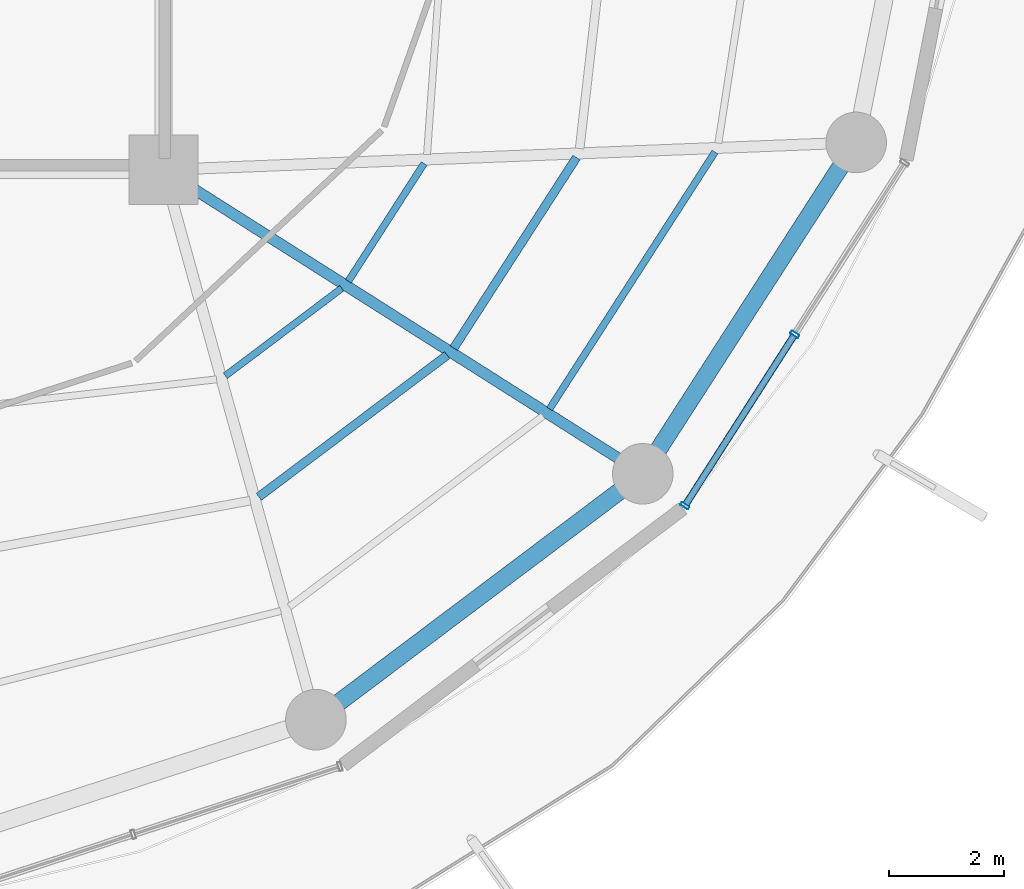
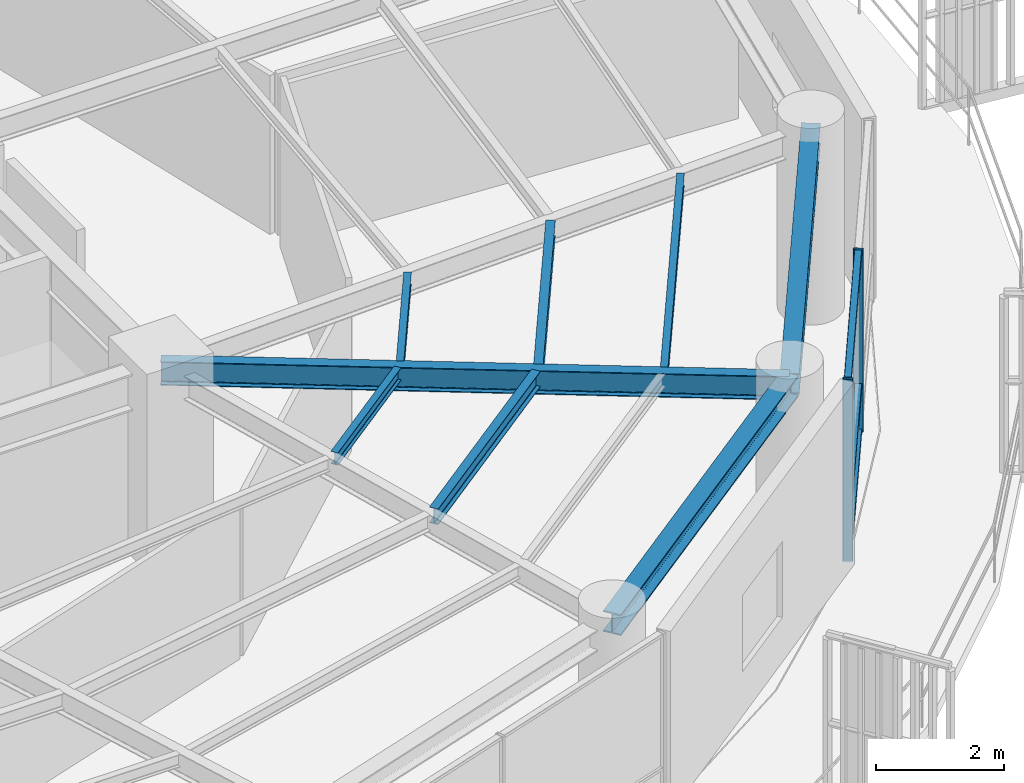
# One storey, part 11 of 31: 8 beams, 5 members, 1 element without a shape of its own.
"""IFC4 building model written with IfcOpenShell, lengths in metres."""

from ifc_helpers import new_model, si_unit, direction, frame, origin, origin_2d, place, context, subcontext, project, spatial, hollow_rectangle, i_section, extrude, material, layer, layer_set, material_profile, profile_set, type_object, element, aggregate, save


model = new_model("IFC4")

# Units and contexts
model_context = context("Model", 3, precision=1e-05, world=origin(), true_north=direction((0.0, 1.0)))
body_context = subcontext(model_context, "Body", "Model", "MODEL_VIEW")
ifc_project = project(units=[si_unit("LENGTHUNIT", "METRE"), si_unit("AREAUNIT", "SQUARE_METRE"), si_unit("VOLUMEUNIT", "CUBIC_METRE"), si_unit("PLANEANGLEUNIT", "RADIAN"), si_unit("MASSUNIT", "GRAM", prefix="KILO")], contexts=[model_context])

# Site, building, storey
site_placement = place(None, origin())
site = spatial("IfcSite", under=ifc_project, at=site_placement, CompositionType="ELEMENT")
building_placement = place(site_placement, origin())
building = spatial("IfcBuilding", under=site, at=building_placement, Name="Kelanora Arch Commons", CompositionType="ELEMENT")
storey_placement = place(building_placement, frame((0.0, 0.0, 193.199951171875)))
storey = spatial("IfcBuildingStorey", under=building, at=storey_placement, Name="L49", CompositionType="ELEMENT", Elevation=193.199951171875)

# Beams
ifc_material_1 = material(Name="Steel S355", Category="steel")
ifc_material_profile_1 = material_profile(ifc_material_1, i_section(OverallWidth=0.14990234375, OverallDepth=0.300048828125, WebThickness=0.007080078125, FlangeThickness=0.0107421875, FilletRadius=0.014892578125, at=origin_2d()), Name="IPE300")
ifc_profile_set_1 = profile_set([ifc_material_profile_1], Name="Steel S355")
beam_type_1 = type_object("IfcBeamType", Name="BM-JST-01", PredefinedType="JOIST", material=ifc_profile_set_1)
beam_1_placement = place(storey_placement, frame((83.65185546875, 45.3369140625, 3.340087890625), z_axis=(0.799101708656, 0.601195857624, 0.0), x_axis=(-0.601195857624, 0.799101708656, 0.0)))
element("IfcBeam", 1, at=beam_1_placement, inside=storey, type_object=beam_type_1, Name="Secondary Chord Joist BJB-30 L49", PredefinedType="JOIST", context=body_context, shape_type="SweptSolid", body=[
    extrude(i_section(OverallWidth=0.14990234375, OverallDepth=0.300048828125, WebThickness=0.007080078125, FlangeThickness=0.0107421875, FilletRadius=0.014892578125, at=origin_2d()), origin(), (0.0, 0.0, 1.0), 4.080810546875),
])
beam_2_placement = place(storey_placement, frame((87.02685546875, 47.912841796875, 3.340087890625), z_axis=(0.541411265892, 0.840757896879, 0.0), x_axis=(-0.840757896879, 0.541411265892, 0.0)))
element("IfcBeam", 2, at=beam_2_placement, inside=storey, type_object=beam_type_1, Name="Secondary Chord Joist BJB-32 L49", PredefinedType="JOIST", context=body_context, shape_type="SweptSolid", body=[
    extrude(i_section(OverallWidth=0.14990234375, OverallDepth=0.300048828125, WebThickness=0.007080078125, FlangeThickness=0.0107421875, FilletRadius=0.014892578125, at=origin_2d()), origin(), (0.0, 0.0, 1.0), 3.92529296875),
])
ifc_material_profile_2 = material_profile(ifc_material_1, i_section(OverallWidth=0.1201171875, OverallDepth=0.239990234375, WebThickness=0.006103515625, FlangeThickness=0.009765625, FilletRadius=0.014892578125, at=origin_2d()), Name="IPE240")
ifc_profile_set_2 = profile_set([ifc_material_profile_2], Name="Steel S355")
beam_type_2 = type_object("IfcBeamType", Name="BM-JST-02", PredefinedType="JOIST", material=ifc_profile_set_2)
beam_3_placement = place(storey_placement, frame((83.071044921875, 47.43212890625, 3.3701171875), z_axis=(0.79911638933, 0.601176343766, 0.0), x_axis=(-0.601176343766, 0.79911638933, 0.0)))
element("IfcBeam", 3, at=beam_3_placement, inside=storey, type_object=beam_type_2, Name="Secondary Chord Joist BJA-30 L49", PredefinedType="JOIST", context=body_context, shape_type="SweptSolid", body=[
    extrude(i_section(OverallWidth=0.1201171875, OverallDepth=0.239990234375, WebThickness=0.006103515625, FlangeThickness=0.009765625, FilletRadius=0.014892578125, at=origin_2d()), origin(), (0.0, 0.0, 1.0), 2.522216796875),
])
beam_4_placement = place(storey_placement, frame((85.20068359375, 49.071044921875, 3.3701171875), z_axis=(0.541332763503, 0.840808443796, 0.0), x_axis=(-0.840808443796, 0.541332763503, 0.0)))
element("IfcBeam", 4, at=beam_4_placement, inside=storey, type_object=beam_type_2, Name="Secondary Chord Joist BJA-32 L49", PredefinedType="JOIST", context=body_context, shape_type="SweptSolid", body=[
    extrude(i_section(OverallWidth=0.1201171875, OverallDepth=0.239990234375, WebThickness=0.006103515625, FlangeThickness=0.009765625, FilletRadius=0.014892578125, at=origin_2d()), origin(), (0.0, 0.0, 1.0), 2.423583984375),
])
beam_5_placement = place(storey_placement, frame((88.68701171875, 46.85986328125, 3.3701171875), z_axis=(0.541382492679, 0.840776424872, 0.0), x_axis=(-0.840776424872, 0.541382492679, 0.0)))
element("IfcBeam", 5, at=beam_5_placement, inside=storey, type_object=beam_type_2, Name="Secondary Chord Joist BJC-32 L49", PredefinedType="JOIST", context=body_context, shape_type="SweptSolid", body=[
    extrude(i_section(OverallWidth=0.1201171875, OverallDepth=0.239990234375, WebThickness=0.006103515625, FlangeThickness=0.009765625, FilletRadius=0.014892578125, at=origin_2d()), origin(), (0.0, 0.0, 1.0), 5.29052734375),
])
ifc_material_profile_3 = material_profile(ifc_material_1, i_section(OverallWidth=0.18994140625, OverallDepth=0.449951171875, WebThickness=0.009521484375, FlangeThickness=0.0146484375, FilletRadius=0.02099609375, at=origin_2d()), Name="IPE450")
ifc_profile_set_3 = profile_set([ifc_material_profile_3], Name="Steel S355")
beam_type_3 = type_object("IfcBeamType", Name="BM-RAD-Z4", PredefinedType="BEAM", material=ifc_profile_set_3)
beam_6_placement = place(storey_placement, frame((82.0, 51.0, 3.26513671875), z_axis=(0.844507208607, -0.535544185489, 0.0), x_axis=(0.535544185489, 0.844507208607, 0.0)))
element("IfcBeam", 6, at=beam_6_placement, inside=storey, type_object=beam_type_3, Name="Radial Floor Girder BR-32 L49", PredefinedType="BEAM", context=body_context, shape_type="SweptSolid", body=[
    extrude(i_section(OverallWidth=0.18994140625, OverallDepth=0.449951171875, WebThickness=0.009521484375, FlangeThickness=0.0146484375, FilletRadius=0.02099609375, at=origin_2d()), origin(), (0.0, 0.0, 1.0), 9.830078125),
])
ifc_material_profile_4 = material_profile(ifc_material_1, i_section(OverallWidth=0.300048828125, OverallDepth=0.39990234375, WebThickness=0.013427734375, FlangeThickness=0.02392578125, FilletRadius=0.027099609375, at=origin_2d()), Name="HEB400")
ifc_profile_set_4 = profile_set([ifc_material_profile_4], Name="Steel S355")
beam_type_4 = type_object("IfcBeamType", Name="BM-SPN-Z4", PredefinedType="SPANDREL", material=ifc_profile_set_4)
beam_7_placement = place(storey_placement, frame((84.639892578125, 41.476318359375, 3.2900390625), z_axis=(0.799114211715, 0.60117923836, 0.0), x_axis=(-0.60117923836, 0.799114211715, 0.0)))
element("IfcBeam", 7, at=beam_7_placement, inside=storey, type_object=beam_type_4, Name="Perimeter Spandrel Beam BS-30 L49", PredefinedType="SPANDREL", context=body_context, shape_type="SweptSolid", body=[
    extrude(i_section(OverallWidth=0.300048828125, OverallDepth=0.39990234375, WebThickness=0.013427734375, FlangeThickness=0.02392578125, FilletRadius=0.027099609375, at=origin_2d()), origin(), (0.0, 0.0, 1.0), 7.0849609375),
])
beam_8_placement = place(storey_placement, frame((90.301513671875, 45.735595703125, 3.2900390625), z_axis=(0.541364878868, 0.840787766281, 0.0), x_axis=(-0.840787766281, 0.541364878868, 0.0)))
element("IfcBeam", 8, at=beam_8_placement, inside=storey, type_object=beam_type_4, Name="Perimeter Spandrel Beam BS-32 L49", PredefinedType="SPANDREL", context=body_context, shape_type="SweptSolid", body=[
    extrude(i_section(OverallWidth=0.300048828125, OverallDepth=0.39990234375, WebThickness=0.013427734375, FlangeThickness=0.02392578125, FilletRadius=0.027099609375, at=origin_2d()), origin(), (0.0, 0.0, 1.0), 6.825439453125),
])

# Curtain wall, members
ifc_material_2 = material(Name="Terracotta ceramic-fritted low-E glass and aluminium", Category="masonry")
ifc_layer = layer(ifc_material_2, 0.175048828125)
ifc_layer_set = layer_set([ifc_layer], Name="Terracotta ceramic-fritted low-E glass and aluminium")
curtain_wall_type = type_object("IfcCurtainWallType", Name="CW-SYS-02", PredefinedType="NOTDEFINED", material=ifc_layer_set)
curtain_wall_placement = place(storey_placement, origin())
curtain_wall = element("IfcCurtainWall", 9, at=curtain_wall_placement, inside=storey, type_object=curtain_wall_type, Name="Unitised Curtain Wall L49-B16", PredefinedType="NOTDEFINED")
ifc_material_3 = material(Name="Powder-coated aluminium terracotta", Category="masonry")
ifc_material_profile_5 = material_profile(ifc_material_3, hollow_rectangle(XDim=0.159912109375, YDim=0.06005859375, WallThickness=0.0048828125, InnerFilletRadius=0.0048828125, OuterFilletRadius=0.010009765625, at=origin_2d()), Name="CWM160x60")
ifc_profile_set_5 = profile_set([ifc_material_profile_5], Name="Powder-coated aluminium terracotta")
member_type_1 = type_object("IfcMemberType", Name="CWM-STD", PredefinedType="MULLION", material=ifc_profile_set_5)
member_1_placement = place(storey_placement, frame((91.030517578125, 45.18212890625, 0.0), z_axis=(0.0, 0.0, 1.0), x_axis=(-0.84194757539, 0.539559338994, 0.0)))
member_1 = element("IfcMember", 10, at=member_1_placement, type_object=member_type_1, Name="CW-02 mullion 1", PredefinedType="MULLION", context=body_context, shape_type="SweptSolid", body=[
    extrude(hollow_rectangle(XDim=0.159912109375, YDim=0.06005859375, WallThickness=0.0048828125, InnerFilletRadius=0.0048828125, OuterFilletRadius=0.010009765625, at=origin_2d()), origin(), (0.0, 0.0, 1.0), 3.47509765625),
])
member_2_placement = place(storey_placement, frame((92.93359375, 48.15185546875, 0.0), z_axis=(0.0, 0.0, 1.0), x_axis=(-0.84194757539, 0.539559338994, 0.0)))
member_2 = element("IfcMember", 11, at=member_2_placement, type_object=member_type_1, Name="CW-02 mullion 2", PredefinedType="MULLION", context=body_context, shape_type="SweptSolid", body=[
    extrude(hollow_rectangle(XDim=0.159912109375, YDim=0.06005859375, WallThickness=0.0048828125, InnerFilletRadius=0.0048828125, OuterFilletRadius=0.010009765625, at=origin_2d()), origin(), (0.0, 0.0, 1.0), 3.47509765625),
])
ifc_material_profile_6 = material_profile(ifc_material_3, hollow_rectangle(XDim=0.1201171875, YDim=0.06005859375, WallThickness=0.0048828125, InnerFilletRadius=0.0048828125, OuterFilletRadius=0.010009765625, at=origin_2d()), Name="CWT120x60")
ifc_profile_set_6 = profile_set([ifc_material_profile_6], Name="Powder-coated aluminium terracotta")
member_type_2 = type_object("IfcMemberType", Name="CWT-STD", PredefinedType="USERDEFINED", material=ifc_profile_set_6)
member_3_placement = place(storey_placement, frame((91.046630859375, 45.207275390625, 0.030029296875), z_axis=(0.53954710894, 0.841955412854, 0.0), x_axis=(-0.841955412854, 0.53954710894, 0.0)))
member_3 = element("IfcMember", 12, at=member_3_placement, type_object=member_type_2, Name="CW-02 transom 1.1", ObjectType="TRANSOM", PredefinedType="USERDEFINED", context=body_context, shape_type="SweptSolid", body=[
    extrude(hollow_rectangle(XDim=0.1201171875, YDim=0.06005859375, WallThickness=0.0048828125, InnerFilletRadius=0.0048828125, OuterFilletRadius=0.010009765625, at=origin_2d()), origin(), (0.0, 0.0, 1.0), 3.467529296875),
])
member_4_placement = place(storey_placement, frame((91.046630859375, 45.207275390625, 0.900146484375), z_axis=(0.53954710894, 0.841955412854, 0.0), x_axis=(-0.841955412854, 0.53954710894, 0.0)))
member_4 = element("IfcMember", 13, at=member_4_placement, type_object=member_type_2, Name="CW-02 transom 1.2", ObjectType="TRANSOM", PredefinedType="USERDEFINED", context=body_context, shape_type="SweptSolid", body=[
    extrude(hollow_rectangle(XDim=0.1201171875, YDim=0.06005859375, WallThickness=0.0048828125, InnerFilletRadius=0.0048828125, OuterFilletRadius=0.010009765625, at=origin_2d()), origin(), (0.0, 0.0, 1.0), 3.467529296875),
])
member_5_placement = place(storey_placement, frame((91.046630859375, 45.207275390625, 3.445068359375), z_axis=(0.53954710894, 0.841955412854, 0.0), x_axis=(-0.841955412854, 0.53954710894, 0.0)))
member_5 = element("IfcMember", 14, at=member_5_placement, type_object=member_type_2, Name="CW-02 transom 1.3", ObjectType="TRANSOM", PredefinedType="USERDEFINED", context=body_context, shape_type="SweptSolid", body=[
    extrude(hollow_rectangle(XDim=0.1201171875, YDim=0.06005859375, WallThickness=0.0048828125, InnerFilletRadius=0.0048828125, OuterFilletRadius=0.010009765625, at=origin_2d()), origin(), (0.0, 0.0, 1.0), 3.467529296875),
])
aggregate(curtain_wall, [member_1, member_2, member_3, member_4, member_5])

save(model, "model.ifc")
